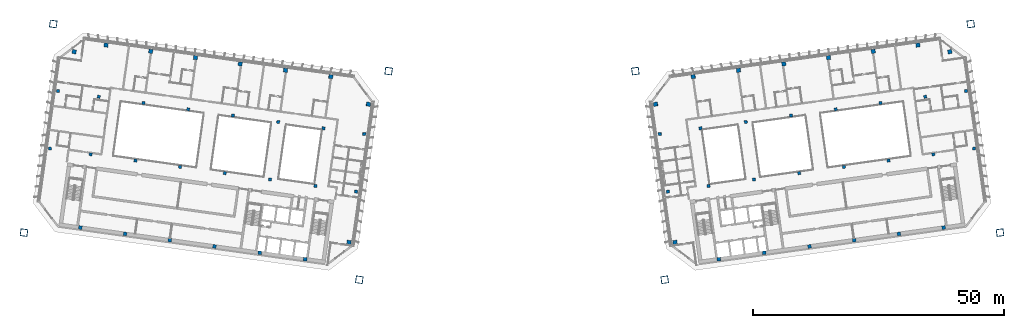
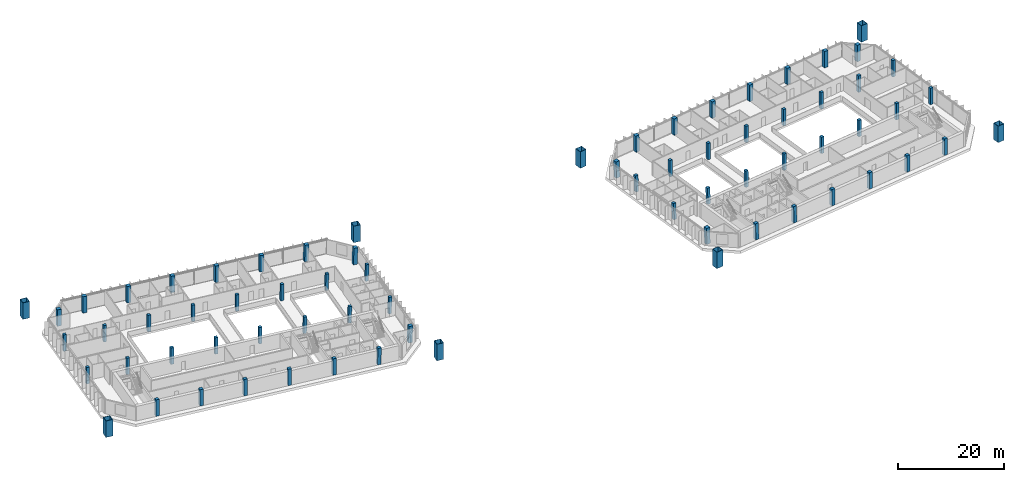
# One storey, part 1 of 26: 70 columns.
"""IFC4 building model written with IfcOpenShell, lengths in metres."""

from ifc_helpers import new_model, si_unit, direction, frame, origin, origin_2d, place, context, subcontext, project, spatial, rectangle, hollow_rectangle, extrude, material, material_profile, profile_set, type_object, element, save


model = new_model("IFC4")

# Units and contexts
model_context = context("Model", 3, precision=1e-05, world=origin(), true_north=direction((0.0, 1.0)))
body_context = subcontext(model_context, "Body", "Model", "MODEL_VIEW")
ifc_project = project(units=[si_unit("LENGTHUNIT", "METRE"), si_unit("AREAUNIT", "SQUARE_METRE"), si_unit("VOLUMEUNIT", "CUBIC_METRE"), si_unit("PLANEANGLEUNIT", "RADIAN"), si_unit("MASSUNIT", "GRAM", prefix="KILO")], contexts=[model_context])

# Site, building, storey
site_placement = place(None, origin())
site = spatial("IfcSite", under=ifc_project, at=site_placement, CompositionType="ELEMENT")
building_placement = place(site_placement, origin())
building = spatial("IfcBuilding", under=site, at=building_placement, Name="Mirante Cascada Hotel Towers", CompositionType="ELEMENT")
storey_placement = place(building_placement, frame((0.0, 0.0, 168.8)))
storey = spatial("IfcBuildingStorey", under=building, at=storey_placement, Name="L39", CompositionType="ELEMENT", Elevation=168.8)

# Columns
ifc_material_1 = material(Name="Steel ASTM A572 Gr 50", Category="steel")
ifc_material_profile_1 = material_profile(ifc_material_1, hollow_rectangle(XDim=1.4, YDim=1.4, WallThickness=0.06, at=origin_2d()), Name="Box column 1400x1400x60 ASTM A572 Gr 50")
ifc_profile_set_1 = profile_set([ifc_material_profile_1], Name="Steel ASTM A572 Gr 50")
column_type_1 = type_object("IfcColumnType", Name="Box column 1400x1400x60 ASTM A572 Gr 50", PredefinedType="COLUMN", material=ifc_profile_set_1)
for number, where, z_axis, x_axis, name in (
    (1, (-24.595, 18.4468, 0.0), (0.0, 0.0, 1.0), (-0.9902681, 0.1391731, 0.0), "Mega column MC1 T1 L39"),
    (2, (-30.4403, -23.1445, 0.0), (0.0, 0.0, 1.0), (-0.9902681, 0.1391731, 0.0), "Mega column MC2 T1 L39"),
    (3, (-91.4448, 27.8419, 0.0), (0.0, 0.0, 1.0), (-0.9902681, 0.1391731, 0.0), "Mega column MC3 T1 L39"),
    (4, (-97.2901, -13.7494, 0.0), (0.0, 0.0, 1.0), (-0.9902681, 0.1391731, 0.0), "Mega column MC4 T1 L39"),
    (5, (24.595, 18.4468, 0.0), (0.0, 0.0, 1.0), (0.9902681, 0.1391731, 0.0), "Mega column MC1 T2 L39"),
    (6, (30.4403, -23.1445, 0.0), (0.0, 0.0, 1.0), (0.9902681, 0.1391731, 0.0), "Mega column MC2 T2 L39"),
    (7, (91.4448, 27.8419, 0.0), (0.0, 0.0, 1.0), (0.9902681, 0.1391731, 0.0), "Mega column MC3 T2 L39"),
    (8, (97.2901, -13.7494, 0.0), (0.0, 0.0, 1.0), (0.9902681, 0.1391731, 0.0), "Mega column MC4 T2 L39"),
):
    element("IfcColumn", number, at=place(storey_placement, frame(where, z_axis=z_axis, x_axis=x_axis)), inside=storey, type_object=column_type_1, Name=name, PredefinedType="COLUMN", context=body_context, shape_type="SweptSolid", body=[
        extrude(hollow_rectangle(XDim=1.4, YDim=1.4, WallThickness=0.06, at=origin_2d()), origin(), (0.0, 0.0, 1.0), 3.8),
    ])
ifc_material_2 = material(Name="Concrete C50/60", Category="concrete")
ifc_material_profile_2 = material_profile(ifc_material_2, rectangle(XDim=0.6, YDim=0.6, at=origin_2d()), Name="RC column 600x600 C50/60")
ifc_profile_set_2 = profile_set([ifc_material_profile_2], Name="Concrete C50/60")
column_type_2 = type_object("IfcColumnType", Name="RC column 600x600 C50/60", PredefinedType="COLUMN", material=ifc_profile_set_2)
for number, where, z_axis, x_axis, name in (
    (9, (-29.4917, 5.9062, 0.004), (0.0351045, -0.0049283, 0.9993715), (0.139027, 0.9902886, 0.0), "Column T1 L39 2"),
    (10, (-31.1062, -5.5809, 0.004), (0.0351308, -0.0049283, 0.9993706), (0.1389247, 0.9903029, 0.0), "Column T1 L39 3"),
):
    element("IfcColumn", number, at=place(storey_placement, frame(where, z_axis=z_axis, x_axis=x_axis)), inside=storey, type_object=column_type_2, Name=name, PredefinedType="COLUMN", context=body_context, shape_type="SweptSolid", body=[
        extrude(rectangle(XDim=0.6, YDim=0.6, at=origin_2d()), origin(), (0.0, 0.0, 1.0), 3.7944),
    ])
for number, where, z_axis, x_axis, name in (
    (11, (-37.5899, 7.0443, 0.004), (0.0293647, -0.0041121, 0.9995603), (0.1386827, 0.9903369, 0.0), "Column T1 L39 6"),
    (12, (-39.2043, -4.4428, 0.004), (0.0293647, -0.0041121, 0.9995603), (0.1386827, 0.9903369, 0.0), "Column T1 L39 7"),
):
    element("IfcColumn", number, at=place(storey_placement, frame(where, z_axis=z_axis, x_axis=x_axis)), inside=storey, type_object=column_type_2, Name=name, PredefinedType="COLUMN", context=body_context, shape_type="SweptSolid", body=[
        extrude(rectangle(XDim=0.6, YDim=0.6, at=origin_2d()), origin(), (0.0, 0.0, 1.0), 3.7937),
    ])
for number, where, z_axis, x_axis, name in (
    (13, (-46.6138, 8.3126, 0.004), (0.0146872, -0.0020831, 0.99989), (0.1404259, 0.9900912, 0.0), "Column T1 L39 10"),
    (14, (-48.2282, -3.1745, 0.004), (0.0146872, -0.0020831, 0.99989), (0.1404259, 0.9900912, 0.0), "Column T1 L39 11"),
):
    element("IfcColumn", number, at=place(storey_placement, frame(where, z_axis=z_axis, x_axis=x_axis)), inside=storey, type_object=column_type_2, Name=name, PredefinedType="COLUMN", context=body_context, shape_type="SweptSolid", body=[
        extrude(rectangle(XDim=0.6, YDim=0.6, at=origin_2d()), origin(), (0.0, 0.0, 1.0), 3.7924),
    ])
for number, where, z_axis, x_axis, name in (
    (15, (-55.6378, 9.5808, 0.0), (0.0, 0.0, 1.0), (-0.9902681, 0.1391731, 0.0), "Column T1 L39 14"),
    (16, (-57.2522, -1.9063, 0.0), (0.0, 0.0, 1.0), (-0.9902681, 0.1391731, 0.0), "Column T1 L39 15"),
    (17, (-64.5502, 10.8333, 0.0), (0.0, 0.0, 1.0), (-0.9902681, 0.1391731, 0.0), "Column T1 L39 18"),
    (18, (-66.1646, -0.6538, 0.0), (0.0, 0.0, 1.0), (-0.9902681, 0.1391731, 0.0), "Column T1 L39 19"),
    (19, (-73.4626, 12.0859, 0.0), (0.0, 0.0, 1.0), (-0.9902681, 0.1391731, 0.0), "Column T1 L39 22"),
    (20, (-75.077, 0.5988, 0.0), (0.0, 0.0, 1.0), (-0.9902681, 0.1391731, 0.0), "Column T1 L39 23"),
    (21, (-82.375, 13.3385, 0.0), (0.0, 0.0, 1.0), (-0.9902681, 0.1391731, 0.0), "Column T1 L39 26"),
    (22, (-83.9894, 1.8514, 0.0), (0.0, 0.0, 1.0), (-0.9902681, 0.1391731, 0.0), "Column T1 L39 27"),
    (23, (-90.4952, 14.4797, 0.0), (0.0, 0.0, 1.0), (-0.9902681, 0.1391731, 0.0), "Column T1 L39 30"),
    (24, (-92.1096, 2.9926, 0.0), (0.0, 0.0, 1.0), (-0.9902681, 0.1391731, 0.0), "Column T1 L39 31"),
):
    element("IfcColumn", number, at=place(storey_placement, frame(where, z_axis=z_axis, x_axis=x_axis)), inside=storey, type_object=column_type_2, Name=name, PredefinedType="COLUMN", context=body_context, shape_type="SweptSolid", body=[
        extrude(rectangle(XDim=0.6, YDim=0.6, at=origin_2d()), origin(), (0.0, 0.0, 1.0), 3.8),
    ])
for number, where, z_axis, x_axis, name in (
    (25, (29.4917, 5.9062, 0.004), (-0.0351045, -0.0049283, 0.9993715), (0.139027, -0.9902886, 0.0), "Column T2 L39 2"),
    (26, (31.1062, -5.5809, 0.004), (-0.0351308, -0.0049283, 0.9993706), (0.1389247, -0.9903029, 0.0), "Column T2 L39 3"),
):
    element("IfcColumn", number, at=place(storey_placement, frame(where, z_axis=z_axis, x_axis=x_axis)), inside=storey, type_object=column_type_2, Name=name, PredefinedType="COLUMN", context=body_context, shape_type="SweptSolid", body=[
        extrude(rectangle(XDim=0.6, YDim=0.6, at=origin_2d()), origin(), (0.0, 0.0, 1.0), 3.7944),
    ])
for number, where, z_axis, x_axis, name in (
    (27, (37.5899, 7.0443, 0.004), (-0.0293647, -0.0041121, 0.9995603), (0.1386827, -0.9903369, 0.0), "Column T2 L39 6"),
    (28, (39.2043, -4.4428, 0.004), (-0.0293647, -0.0041121, 0.9995603), (0.1386827, -0.9903369, 0.0), "Column T2 L39 7"),
):
    element("IfcColumn", number, at=place(storey_placement, frame(where, z_axis=z_axis, x_axis=x_axis)), inside=storey, type_object=column_type_2, Name=name, PredefinedType="COLUMN", context=body_context, shape_type="SweptSolid", body=[
        extrude(rectangle(XDim=0.6, YDim=0.6, at=origin_2d()), origin(), (0.0, 0.0, 1.0), 3.7937),
    ])
for number, where, z_axis, x_axis, name in (
    (29, (46.6138, 8.3126, 0.004), (-0.0146872, -0.0020831, 0.99989), (0.1404259, -0.9900912, 0.0), "Column T2 L39 10"),
    (30, (48.2282, -3.1745, 0.004), (-0.0146872, -0.0020831, 0.99989), (0.1404259, -0.9900912, 0.0), "Column T2 L39 11"),
):
    element("IfcColumn", number, at=place(storey_placement, frame(where, z_axis=z_axis, x_axis=x_axis)), inside=storey, type_object=column_type_2, Name=name, PredefinedType="COLUMN", context=body_context, shape_type="SweptSolid", body=[
        extrude(rectangle(XDim=0.6, YDim=0.6, at=origin_2d()), origin(), (0.0, 0.0, 1.0), 3.7924),
    ])
for number, where, z_axis, x_axis, name in (
    (31, (55.6378, 9.5808, 0.0), (0.0, 0.0, 1.0), (0.9902681, 0.1391731, 0.0), "Column T2 L39 14"),
    (32, (57.2522, -1.9063, 0.0), (0.0, 0.0, 1.0), (0.9902681, 0.1391731, 0.0), "Column T2 L39 15"),
    (33, (64.5502, 10.8333, 0.0), (0.0, 0.0, 1.0), (0.9902681, 0.1391731, 0.0), "Column T2 L39 18"),
    (34, (66.1646, -0.6538, 0.0), (0.0, 0.0, 1.0), (0.9902681, 0.1391731, 0.0), "Column T2 L39 19"),
    (35, (73.4626, 12.0859, 0.0), (0.0, 0.0, 1.0), (0.9902681, 0.1391731, 0.0), "Column T2 L39 22"),
    (36, (75.077, 0.5988, 0.0), (0.0, 0.0, 1.0), (0.9902681, 0.1391731, 0.0), "Column T2 L39 23"),
    (37, (82.375, 13.3385, 0.0), (0.0, 0.0, 1.0), (0.9902681, 0.1391731, 0.0), "Column T2 L39 26"),
    (38, (83.9894, 1.8514, 0.0), (0.0, 0.0, 1.0), (0.9902681, 0.1391731, 0.0), "Column T2 L39 27"),
    (39, (90.4952, 14.4797, 0.0), (0.0, 0.0, 1.0), (0.9902681, 0.1391731, 0.0), "Column T2 L39 30"),
    (40, (92.1096, 2.9926, 0.0), (0.0, 0.0, 1.0), (0.9902681, 0.1391731, 0.0), "Column T2 L39 31"),
):
    element("IfcColumn", number, at=place(storey_placement, frame(where, z_axis=z_axis, x_axis=x_axis)), inside=storey, type_object=column_type_2, Name=name, PredefinedType="COLUMN", context=body_context, shape_type="SweptSolid", body=[
        extrude(rectangle(XDim=0.6, YDim=0.6, at=origin_2d()), origin(), (0.0, 0.0, 1.0), 3.8),
    ])
ifc_material_3 = material(Name="Concrete C50/60", Category="concrete")
ifc_material_profile_3 = material_profile(ifc_material_3, rectangle(XDim=0.7, YDim=0.7, at=origin_2d()), Name="RC column 700x700 C50/60")
ifc_profile_set_3 = profile_set([ifc_material_profile_3], Name="Concrete C50/60")
column_type_3 = type_object("IfcColumnType", Name="RC column 700x700 C50/60", PredefinedType="COLUMN", material=ifc_profile_set_3)
column_1_placement = place(storey_placement, frame((-41.2571, -19.0492, 0.004), z_axis=(0.0293647, -0.0041385, 0.9995602), x_axis=(0.1395545, 0.9902144, 0.0)))
element("IfcColumn", 41, at=column_1_placement, inside=storey, type_object=column_type_3, Name="Column T1 L39 8", PredefinedType="COLUMN", context=body_context, shape_type="SweptSolid", body=[
    extrude(rectangle(XDim=0.7, YDim=0.7, at=origin_2d()), origin(), (0.0, 0.0, 1.0), 3.7937),
])
column_2_placement = place(storey_placement, frame((-50.281, -17.781, 0.004), z_axis=(0.0146608, -0.0020567, 0.9998904), x_axis=(0.1389273, 0.9903026, 0.0)))
element("IfcColumn", 42, at=column_2_placement, inside=storey, type_object=column_type_3, Name="Column T1 L39 12", PredefinedType="COLUMN", context=body_context, shape_type="SweptSolid", body=[
    extrude(rectangle(XDim=0.7, YDim=0.7, at=origin_2d()), origin(), (0.0, 0.0, 1.0), 3.7924),
])
for number, where, z_axis, x_axis, name in (
    (43, (-59.305, -16.5128, 0.0), (0.0, 0.0, 1.0), (-0.9902681, 0.1391731, 0.0), "Column T1 L39 16"),
    (44, (-68.2174, -15.2602, 0.0), (0.0, 0.0, 1.0), (-0.9902681, 0.1391731, 0.0), "Column T1 L39 20"),
    (45, (-77.1298, -14.0077, 0.0), (0.0, 0.0, 1.0), (-0.9902681, 0.1391731, 0.0), "Column T1 L39 24"),
    (46, (-86.0422, -12.7551, 0.0), (0.0, 0.0, 1.0), (-0.9902681, 0.1391731, 0.0), "Column T1 L39 28"),
):
    element("IfcColumn", number, at=place(storey_placement, frame(where, z_axis=z_axis, x_axis=x_axis)), inside=storey, type_object=column_type_3, Name=name, PredefinedType="COLUMN", context=body_context, shape_type="SweptSolid", body=[
        extrude(rectangle(XDim=0.7, YDim=0.7, at=origin_2d()), origin(), (0.0, 0.0, 1.0), 3.8),
    ])
column_3_placement = place(storey_placement, frame((41.2571, -19.0492, 0.004), z_axis=(-0.0293647, -0.0041385, 0.9995602), x_axis=(0.1395545, -0.9902144, 0.0)))
element("IfcColumn", 47, at=column_3_placement, inside=storey, type_object=column_type_3, Name="Column T2 L39 8", PredefinedType="COLUMN", context=body_context, shape_type="SweptSolid", body=[
    extrude(rectangle(XDim=0.7, YDim=0.7, at=origin_2d()), origin(), (0.0, 0.0, 1.0), 3.7937),
])
column_4_placement = place(storey_placement, frame((50.281, -17.781, 0.004), z_axis=(-0.0146608, -0.0020567, 0.9998904), x_axis=(0.1389273, -0.9903026, 0.0)))
element("IfcColumn", 48, at=column_4_placement, inside=storey, type_object=column_type_3, Name="Column T2 L39 12", PredefinedType="COLUMN", context=body_context, shape_type="SweptSolid", body=[
    extrude(rectangle(XDim=0.7, YDim=0.7, at=origin_2d()), origin(), (0.0, 0.0, 1.0), 3.7924),
])
for number, where, z_axis, x_axis, name in (
    (49, (59.305, -16.5128, 0.0), (0.0, 0.0, 1.0), (0.9902681, 0.1391731, 0.0), "Column T2 L39 16"),
    (50, (68.2174, -15.2602, 0.0), (0.0, 0.0, 1.0), (0.9902681, 0.1391731, 0.0), "Column T2 L39 20"),
    (51, (77.1298, -14.0077, 0.0), (0.0, 0.0, 1.0), (0.9902681, 0.1391731, 0.0), "Column T2 L39 24"),
    (52, (86.0422, -12.7551, 0.0), (0.0, 0.0, 1.0), (0.9902681, 0.1391731, 0.0), "Column T2 L39 28"),
):
    element("IfcColumn", number, at=place(storey_placement, frame(where, z_axis=z_axis, x_axis=x_axis)), inside=storey, type_object=column_type_3, Name=name, PredefinedType="COLUMN", context=body_context, shape_type="SweptSolid", body=[
        extrude(rectangle(XDim=0.7, YDim=0.7, at=origin_2d()), origin(), (0.0, 0.0, 1.0), 3.8),
    ])
ifc_material_4 = material(Name="Concrete C50/60", Category="concrete")
ifc_material_profile_4 = material_profile(ifc_material_4, rectangle(XDim=0.8, YDim=0.8, at=origin_2d()), Name="RC column 800x800 C50/60")
ifc_profile_set_4 = profile_set([ifc_material_profile_4], Name="Concrete C50/60")
column_type_4 = type_object("IfcColumnType", Name="RC column 800x800 C50/60", PredefinedType="COLUMN", material=ifc_profile_set_4)
for number, where, z_axis, x_axis, name in (
    (53, (-28.6567, 11.8478, 0.004), (0.0351045, -0.0049283, 0.9993715), (0.139027, 0.9902886, 0.0), "Column T1 L39 1"),
    (54, (-32.5257, -15.6816, 0.004), (0.0351045, -0.0049547, 0.9993714), (0.139756, 0.990186, 0.0), "Column T1 L39 4"),
):
    element("IfcColumn", number, at=place(storey_placement, frame(where, z_axis=z_axis, x_axis=x_axis)), inside=storey, type_object=column_type_4, Name=name, PredefinedType="COLUMN", context=body_context, shape_type="SweptSolid", body=[
        extrude(rectangle(XDim=0.8, YDim=0.8, at=origin_2d()), origin(), (0.0, 0.0, 1.0), 3.7944),
    ])
column_5_placement = place(storey_placement, frame((-36.1425, 17.3431, 0.004), z_axis=(0.0293647, -0.0041121, 0.9995603), x_axis=(0.1386827, 0.9903369, 0.0)))
element("IfcColumn", 55, at=column_5_placement, inside=storey, type_object=column_type_4, Name="Column T1 L39 5", PredefinedType="COLUMN", context=body_context, shape_type="SweptSolid", body=[
    extrude(rectangle(XDim=0.8, YDim=0.8, at=origin_2d()), origin(), (0.0, 0.0, 1.0), 3.7937),
])
column_6_placement = place(storey_placement, frame((-45.1664, 18.6113, 0.004), z_axis=(0.0146872, -0.0020567, 0.99989), x_axis=(0.1386827, 0.9903369, 0.0)))
element("IfcColumn", 56, at=column_6_placement, inside=storey, type_object=column_type_4, Name="Column T1 L39 9", PredefinedType="COLUMN", context=body_context, shape_type="SweptSolid", body=[
    extrude(rectangle(XDim=0.8, YDim=0.8, at=origin_2d()), origin(), (0.0, 0.0, 1.0), 3.7924),
])
for number, where, z_axis, x_axis, name in (
    (57, (-54.1904, 19.8796, 0.0), (0.0, 0.0, 1.0), (-0.9902681, 0.1391731, 0.0), "Column T1 L39 13"),
    (58, (-63.1028, 21.1321, 0.0), (0.0, 0.0, 1.0), (-0.9902681, 0.1391731, 0.0), "Column T1 L39 17"),
    (59, (-72.0152, 22.3847, 0.0), (0.0, 0.0, 1.0), (-0.9902681, 0.1391731, 0.0), "Column T1 L39 21"),
    (60, (-80.9276, 23.6373, 0.0), (0.0, 0.0, 1.0), (-0.9902681, 0.1391731, 0.0), "Column T1 L39 25"),
    (61, (-87.2744, 22.3076, 0.0), (0.0, 0.0, 1.0), (-0.9902681, 0.1391731, 0.0), "Column T1 L39 29"),
):
    element("IfcColumn", number, at=place(storey_placement, frame(where, z_axis=z_axis, x_axis=x_axis)), inside=storey, type_object=column_type_4, Name=name, PredefinedType="COLUMN", context=body_context, shape_type="SweptSolid", body=[
        extrude(rectangle(XDim=0.8, YDim=0.8, at=origin_2d()), origin(), (0.0, 0.0, 1.0), 3.8),
    ])
for number, where, z_axis, x_axis, name in (
    (62, (28.6567, 11.8478, 0.004), (-0.0351045, -0.0049283, 0.9993715), (0.139027, -0.9902886, 0.0), "Column T2 L39 1"),
    (63, (32.5257, -15.6816, 0.004), (-0.0351045, -0.0049547, 0.9993714), (0.139756, -0.990186, 0.0), "Column T2 L39 4"),
):
    element("IfcColumn", number, at=place(storey_placement, frame(where, z_axis=z_axis, x_axis=x_axis)), inside=storey, type_object=column_type_4, Name=name, PredefinedType="COLUMN", context=body_context, shape_type="SweptSolid", body=[
        extrude(rectangle(XDim=0.8, YDim=0.8, at=origin_2d()), origin(), (0.0, 0.0, 1.0), 3.7944),
    ])
column_7_placement = place(storey_placement, frame((36.1425, 17.3431, 0.004), z_axis=(-0.0293647, -0.0041121, 0.9995603), x_axis=(0.1386827, -0.9903369, 0.0)))
element("IfcColumn", 64, at=column_7_placement, inside=storey, type_object=column_type_4, Name="Column T2 L39 5", PredefinedType="COLUMN", context=body_context, shape_type="SweptSolid", body=[
    extrude(rectangle(XDim=0.8, YDim=0.8, at=origin_2d()), origin(), (0.0, 0.0, 1.0), 3.7937),
])
column_8_placement = place(storey_placement, frame((45.1664, 18.6113, 0.004), z_axis=(-0.0146872, -0.0020567, 0.99989), x_axis=(0.1386827, -0.9903369, 0.0)))
element("IfcColumn", 65, at=column_8_placement, inside=storey, type_object=column_type_4, Name="Column T2 L39 9", PredefinedType="COLUMN", context=body_context, shape_type="SweptSolid", body=[
    extrude(rectangle(XDim=0.8, YDim=0.8, at=origin_2d()), origin(), (0.0, 0.0, 1.0), 3.7924),
])
for number, where, z_axis, x_axis, name in (
    (66, (54.1904, 19.8796, 0.0), (0.0, 0.0, 1.0), (0.9902681, 0.1391731, 0.0), "Column T2 L39 13"),
    (67, (63.1028, 21.1321, 0.0), (0.0, 0.0, 1.0), (0.9902681, 0.1391731, 0.0), "Column T2 L39 17"),
    (68, (72.0152, 22.3847, 0.0), (0.0, 0.0, 1.0), (0.9902681, 0.1391731, 0.0), "Column T2 L39 21"),
    (69, (80.9276, 23.6373, 0.0), (0.0, 0.0, 1.0), (0.9902681, 0.1391731, 0.0), "Column T2 L39 25"),
    (70, (87.2744, 22.3076, 0.0), (0.0, 0.0, 1.0), (0.9902681, 0.1391731, 0.0), "Column T2 L39 29"),
):
    element("IfcColumn", number, at=place(storey_placement, frame(where, z_axis=z_axis, x_axis=x_axis)), inside=storey, type_object=column_type_4, Name=name, PredefinedType="COLUMN", context=body_context, shape_type="SweptSolid", body=[
        extrude(rectangle(XDim=0.8, YDim=0.8, at=origin_2d()), origin(), (0.0, 0.0, 1.0), 3.8),
    ])

save(model, "model.ifc")
